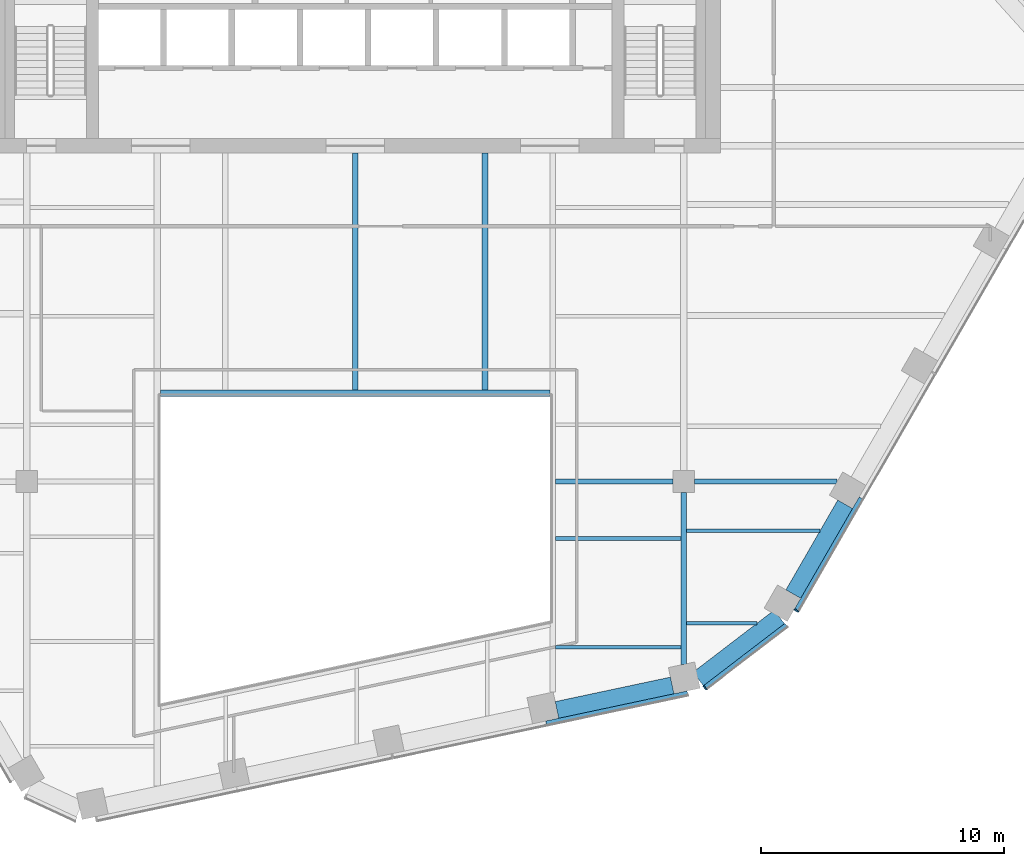
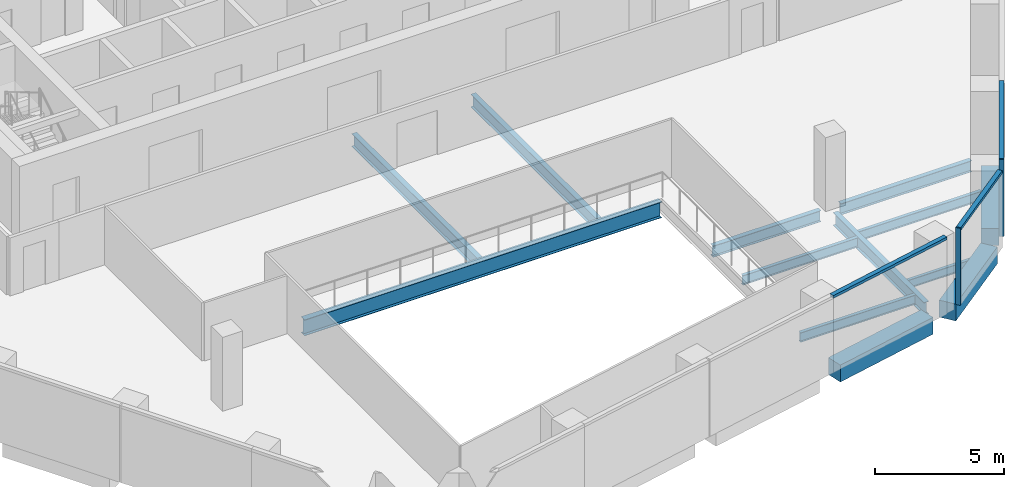
# One storey, part 4 of 15: 13 beams, 5 members, 3 elements without a shape of their own.
"""IFC4 building model written with IfcOpenShell, lengths in metres."""

import ifcopenshell
import ifcopenshell.guid

model = None  # the IFC model being written
_history = None  # IfcOwnerHistory: only IFC2X3 demands one
_inside = {}  # id of a spatial element -> (the spatial element, [elements in it])
_under = {}  # id of a project, library or spatial element -> (it, [spatial elements below it])
_declared = {}  # id of a project -> (the project, [libraries it declares])
_typed = {}  # id of a type object -> (the type object, [elements of that type])
_made_of = {}  # id of a material, layer set ... -> (it, [elements and type objects made of it])


def new_model(schema):
    """Start an empty IFC model of exactly this schema.

    Asked for "IFC4X3", IfcOpenShell would pick the latest addendum, in which some entities
    have other attributes; the version numbers below select the first issue.
    IFC2X3 requires an IfcOwnerHistory on every rooted entity: one is made here for all.
    """
    global model, _history
    if schema == "IFC4X3":
        model = ifcopenshell.file(schema_version=(4, 3, 0, 0))
    else:
        model = ifcopenshell.file(schema=schema)
    _inside.clear()
    _under.clear()
    _declared.clear()
    _typed.clear()
    _made_of.clear()
    _history = None
    if model.schema == "IFC2X3":
        org = make("IfcOrganization", Name="unknown")
        user = make(
            "IfcPersonAndOrganization",
            ThePerson=make("IfcPerson", FamilyName="unknown"),
            TheOrganization=org,
        )
        app = make(
            "IfcApplication",
            ApplicationDeveloper=org,
            Version="unknown",
            ApplicationFullName="unknown",
            ApplicationIdentifier="unknown",
        )
        _history = make(
            "IfcOwnerHistory",
            OwningUser=user,
            OwningApplication=app,
            ChangeAction="ADDED",
            CreationDate=0,
        )
    return model


def make(cls, **values):
    """One entity of the class cls with the attributes given. An attribute that is None is left unset."""
    return model.create_entity(
        cls, **{name: value for name, value in values.items() if value is not None}
    )


def rooted(cls, **values):
    """An entity with a GlobalId (a new one), such as an element, a storey or a relation."""
    return make(cls, GlobalId=ifcopenshell.guid.new(), OwnerHistory=_history, **values)


def si_unit(unit_type, name, prefix=None):
    """IfcSIUnit, for example si_unit("LENGTHUNIT", "METRE", prefix="MILLI")."""
    return make("IfcSIUnit", UnitType=unit_type, Prefix=prefix, Name=name)


def assignment(units):
    """IfcUnitAssignment: the units of a project."""
    return None if units is None else make("IfcUnitAssignment", Units=units)


def point(xyz):
    """IfcCartesianPoint."""
    return None if xyz is None else make("IfcCartesianPoint", Coordinates=xyz)


def direction(xyz):
    """IfcDirection."""
    return None if xyz is None else make("IfcDirection", DirectionRatios=xyz)


def frame(location, z_axis=None, x_axis=None):
    """IfcAxis2Placement3D, a coordinate frame: its origin and axes. An axis left out is left unset."""
    return make(
        "IfcAxis2Placement3D",
        Location=point(location),
        Axis=direction(z_axis),
        RefDirection=direction(x_axis),
    )


def frame_2d(location, x_axis=None):
    """IfcAxis2Placement2D, a coordinate frame in the plane: its origin and x axis."""
    return make(
        "IfcAxis2Placement2D", Location=point(location), RefDirection=direction(x_axis)
    )


def origin():
    """The frame at (0, 0, 0) with its axes left unset."""
    return frame((0.0, 0.0, 0.0))


def origin_2d():
    """The frame at (0, 0) in the plane with its x axis left unset."""
    return frame_2d((0.0, 0.0))


def place(relative_to, where):
    """IfcLocalPlacement: puts the frame where relative to a parent placement (None: the world)."""
    return make(
        "IfcLocalPlacement", PlacementRelTo=relative_to, RelativePlacement=where
    )


def context(
    kind, dimensions, precision=None, world=None, true_north=None, identifier=None
):
    """IfcGeometricRepresentationContext, for example the 3D "Model" context."""
    return make(
        "IfcGeometricRepresentationContext",
        ContextIdentifier=identifier,
        ContextType=kind,
        CoordinateSpaceDimension=dimensions,
        Precision=precision,
        WorldCoordinateSystem=world,
        TrueNorth=true_north,
    )


def subcontext(parent, identifier, kind, view, scale=None):
    """IfcGeometricRepresentationSubContext, for example "Body" below "Model"."""
    return make(
        "IfcGeometricRepresentationSubContext",
        ContextIdentifier=identifier,
        ContextType=kind,
        ParentContext=parent,
        TargetScale=scale,
        TargetView=view,
    )


def project(units=None, contexts=None):
    """IfcProject with its units and contexts."""
    return rooted(
        "IfcProject",
        Name="project",
        RepresentationContexts=contexts,
        UnitsInContext=assignment(units),
    )


def spatial(cls, under=None, at=None, **own):
    """A site, building, storey or space (cls), placed at a placement, below another one or the project."""
    s = rooted(cls, ObjectPlacement=at, **own)
    if under is not None:
        _under.setdefault(under.id(), (under, []))[1].append(s)
    return s


def profile(cls, at=None, kind="AREA", **sizes):
    """A parametric profile (cls). Its sizes go by their IFC names, for example OverallWidth=200.0."""
    return make(cls, ProfileType=kind, Position=at, **sizes)


def rectangle(**sizes):
    """IfcRectangleProfileDef."""
    return profile("IfcRectangleProfileDef", **sizes)


def i_section(**sizes):
    """IfcIShapeProfileDef."""
    return profile("IfcIShapeProfileDef", **sizes)


def extrude(swept, where, along, depth):
    """IfcExtrudedAreaSolid: the profile swept, set in the frame where, extruded along a direction by depth."""
    return make(
        "IfcExtrudedAreaSolid",
        SweptArea=swept,
        Position=where,
        ExtrudedDirection=direction(along),
        Depth=depth,
    )


def shape(context_of_items, identifier, shape_type, items):
    """IfcShapeRepresentation: the items that make up one representation, for example the "Body"."""
    return make(
        "IfcShapeRepresentation",
        ContextOfItems=context_of_items,
        RepresentationIdentifier=identifier,
        RepresentationType=shape_type,
        Items=items,
    )


def material(Name=None, Category=None):
    """IfcMaterial."""
    return make("IfcMaterial", Name=Name, Category=Category)


def layer(
    of_material, thickness, ventilated=None, Name=None, Category=None, Priority=None
):
    """IfcMaterialLayer: one layer of a wall or slab, of a material (None: an air gap)."""
    return make(
        "IfcMaterialLayer",
        Material=of_material,
        LayerThickness=thickness,
        IsVentilated=ventilated,
        Name=Name,
        Category=Category,
        Priority=Priority,
    )


def layer_set(layers, Name=None):
    """IfcMaterialLayerSet."""
    return make("IfcMaterialLayerSet", MaterialLayers=layers, LayerSetName=Name)


def material_profile(
    of_material, cross_section, Name=None, Category=None, Priority=None
):
    """IfcMaterialProfile: a cross section and its material."""
    return make(
        "IfcMaterialProfile",
        Name=Name,
        Material=of_material,
        Profile=cross_section,
        Priority=Priority,
        Category=Category,
    )


def profile_set(profiles, Name=None, composite=None):
    """IfcMaterialProfileSet."""
    return make(
        "IfcMaterialProfileSet",
        Name=Name,
        MaterialProfiles=profiles,
        CompositeProfile=composite,
    )


def made_of(thing, what):
    """Note that an element or type object is made of a material, layer set ...; save() writes the relation."""
    if what is not None:
        _made_of.setdefault(what.id(), (what, []))[1].append(thing)
    return thing


def type_object(cls, material=None, **own):
    """A type object (cls), such as IfcWallType, which elements share."""
    return made_of(rooted(cls, **own), material)


def element(
    cls,
    number,
    at=None,
    inside=None,
    cuts=None,
    type_object=None,
    material=None,
    context=None,
    identifier="Body",
    shape_type=None,
    held_by="IfcProductDefinitionShape",
    body=None,
    shapes=None,
    **own,
):
    """One element of the class cls, such as IfcWall. Its Tag is "e" and its number.

    at: its placement. inside: the storey or other place that contains it. cuts: it is an
    opening in that element (IfcRelVoidsElement). A single representation is given by context,
    identifier, shape_type and body (its items); several are given by shapes. held_by: the class
    of the entity that holds the representations. save() writes the other relations.
    """
    e = rooted(cls, Tag="e%d" % number, ObjectPlacement=at, **own)
    if body is not None:
        shapes = [shape(context, identifier, shape_type, body)]
    if shapes is not None:
        e.Representation = make(held_by, Representations=shapes)
    if inside is not None:
        _inside.setdefault(inside.id(), (inside, []))[1].append(e)
    if cuts is not None:
        rooted(
            "IfcRelVoidsElement", RelatingBuildingElement=cuts, RelatedOpeningElement=e
        )
    if type_object is not None:
        _typed.setdefault(type_object.id(), (type_object, []))[1].append(e)
    return made_of(e, material)


def aggregate(whole, parts):
    """IfcRelAggregates: a whole, such as a stair, and the parts it consists of."""
    return rooted("IfcRelAggregates", RelatingObject=whole, RelatedObjects=parts)


def save(model, path):
    """Write the relations noted so far, then the file.

    IfcRelAggregates (storeys below a building ...), IfcRelContainedInSpatialStructure (elements
    in a storey), IfcRelDefinesByType, IfcRelAssociatesMaterial and IfcRelDeclares: one each for
    every whole, place, type object, material and project.
    """
    for whole, parts in _under.values():
        aggregate(whole, parts)
    for where, things in _inside.values():
        rooted(
            "IfcRelContainedInSpatialStructure",
            RelatedElements=things,
            RelatingStructure=where,
        )
    for kind, things in _typed.values():
        rooted("IfcRelDefinesByType", RelatedObjects=things, RelatingType=kind)
    for what, things in _made_of.values():
        rooted("IfcRelAssociatesMaterial", RelatedObjects=things, RelatingMaterial=what)
    for by, libraries in _declared.values():
        rooted("IfcRelDeclares", RelatingContext=by, RelatedDefinitions=libraries)
    model.write(path)


model = new_model("IFC4")

# Units and contexts
model_context = context("Model", 3, precision=1e-05, world=origin(), true_north=direction((0.0, 1.0)))
body_context = subcontext(model_context, "Body", "Model", "MODEL_VIEW")
ifc_project = project(units=[si_unit("LENGTHUNIT", "METRE"), si_unit("AREAUNIT", "SQUARE_METRE"), si_unit("VOLUMEUNIT", "CUBIC_METRE"), si_unit("PLANEANGLEUNIT", "RADIAN"), si_unit("MASSUNIT", "GRAM", prefix="KILO")], contexts=[model_context])

# Site, building, storey
site_placement = place(None, origin())
site = spatial("IfcSite", under=ifc_project, at=site_placement, CompositionType="ELEMENT")
building_placement = place(site_placement, origin())
building = spatial("IfcBuilding", under=site, at=building_placement, Name="Isthmus Gate Tower", CompositionType="ELEMENT")
storey_placement = place(building_placement, frame((0.0, 0.0, 230.89990234375)))
storey = spatial("IfcBuildingStorey", under=building, at=storey_placement, Name="L58", CompositionType="ELEMENT", Elevation=230.89990234375)

# Curtain wall, member
ifc_material_1 = material(Name="Aluminium, pale champagne anodised", Category="aluminium")
ifc_layer = layer(ifc_material_1, 0.199951171875)
ifc_layer_set = layer_set([ifc_layer], Name="CW-1 UNITISED CURTAIN WALL 200 DEEP")
curtain_wall_type = type_object("IfcCurtainWallType", Name="CW-1 UNITISED CURTAIN WALL 200 DEEP", PredefinedType="NOTDEFINED", material=ifc_layer_set)
curtain_wall_1_placement = place(storey_placement, origin())
curtain_wall_1 = element("IfcCurtainWall", 1, at=curtain_wall_1_placement, inside=storey, type_object=curtain_wall_type, Name="CW-1 S-SE L58", PredefinedType="NOTDEFINED")
ifc_material_2 = material(Name="Aluminium, pale champagne anodised", Category="aluminium")
ifc_material_profile_1 = material_profile(ifc_material_2, rectangle(XDim=0.06005859375, YDim=0.199951171875, at=origin_2d()), Name="60x200")
ifc_profile_set_1 = profile_set([ifc_material_profile_1], Name="Aluminium, pale champagne anodised")
member_type_1 = type_object("IfcMemberType", Name="CW-1 MULLION 60 X 200", PredefinedType="MULLION", material=ifc_profile_set_1)
member_1_placement = place(storey_placement, frame((14.3720703125, -21.961669921875, 0.0), z_axis=(0.0, 0.0, 1.0), x_axis=(0.794188594387, 0.607671355706, 0.0)))
member_1 = element("IfcMember", 2, at=member_1_placement, type_object=member_type_1, Name="CW-1 mullion", PredefinedType="MULLION", context=body_context, shape_type="SweptSolid", body=[
    extrude(rectangle(XDim=0.06005859375, YDim=0.199951171875, at=origin_2d()), origin(), (0.0, 0.0, 1.0), 3.650146484375),
])

curtain_wall_2_placement = place(storey_placement, origin())
curtain_wall_2 = element("IfcCurtainWall", 3, at=curtain_wall_2_placement, inside=storey, type_object=curtain_wall_type, Name="CW-1 SE L58", PredefinedType="NOTDEFINED")
member_2_placement = place(storey_placement, frame((18.131591796875, -18.794921875, 0.0), z_axis=(0.0, 0.0, 1.0), x_axis=(0.5, 0.866025403784, 0.0)))
member_2 = element("IfcMember", 4, at=member_2_placement, type_object=member_type_1, Name="CW-1 mullion", PredefinedType="MULLION", context=body_context, shape_type="SweptSolid", body=[
    extrude(rectangle(XDim=0.06005859375, YDim=0.199951171875, at=origin_2d()), origin(), (0.0, 0.0, 1.0), 3.650146484375),
])

curtain_wall_3_placement = place(storey_placement, origin())
curtain_wall_3 = element("IfcCurtainWall", 5, at=curtain_wall_3_placement, inside=storey, type_object=curtain_wall_type, Name="CW-1 S L58", PredefinedType="NOTDEFINED")
ifc_material_3 = material(Name="Aluminium, pale champagne anodised", Category="aluminium")
ifc_material_profile_2 = material_profile(ifc_material_3, rectangle(XDim=0.199951171875, YDim=0.1298828125, at=origin_2d()), Name="200x130")
ifc_profile_set_2 = profile_set([ifc_material_profile_2], Name="Aluminium, pale champagne anodised")
member_type_2 = type_object("IfcMemberType", Name="CW-1 TRANSOM 200 X 130", PredefinedType="USERDEFINED", material=ifc_profile_set_2)
member_3_placement = place(storey_placement, frame((7.844970703125, -23.434814453125, 3.585205078125), z_axis=(0.978148616043, 0.207906914105, 0.0), x_axis=(-0.207906914105, 0.978148616043, 0.0)))
member_3 = element("IfcMember", 6, at=member_3_placement, type_object=member_type_2, Name="CW-1 transom", ObjectType="TRANSOM", PredefinedType="USERDEFINED", context=body_context, shape_type="SweptSolid", body=[
    extrude(rectangle(XDim=0.199951171875, YDim=0.1298828125, at=origin_2d()), origin(), (0.0, 0.0, 1.0), 5.94189453125),
])
aggregate(curtain_wall_3, [member_3])

# Member
member_4_placement = place(storey_placement, frame((14.39599609375, -21.943603515625, 3.585205078125), z_axis=(0.794175498212, 0.607688471209, 0.0), x_axis=(-0.607688471209, 0.794175498212, 0.0)))
member_4 = element("IfcMember", 7, at=member_4_placement, type_object=member_type_2, Name="CW-1 transom", ObjectType="TRANSOM", PredefinedType="USERDEFINED", context=body_context, shape_type="SweptSolid", body=[
    extrude(rectangle(XDim=0.199951171875, YDim=0.1298828125, at=origin_2d()), origin(), (0.0, 0.0, 1.0), 4.181396484375),
])

aggregate(curtain_wall_1, [member_1, member_4])

member_5_placement = place(storey_placement, frame((18.146728515625, -18.76904296875, 3.585205078125), z_axis=(0.499968318869, 0.866043694121, 0.0), x_axis=(-0.866043694121, 0.499968318869, 0.0)))
member_5 = element("IfcMember", 8, at=member_5_placement, type_object=member_type_2, Name="CW-1 transom", ObjectType="TRANSOM", PredefinedType="USERDEFINED", context=body_context, shape_type="SweptSolid", body=[
    extrude(rectangle(XDim=0.199951171875, YDim=0.1298828125, at=origin_2d()), origin(), (0.0, 0.0, 1.0), 5.300537109375),
])

aggregate(curtain_wall_2, [member_2, member_5])

# Beams
ifc_material_4 = material(Name="Concrete f'c 50 MPa", Category="concrete")
ifc_material_profile_3 = material_profile(ifc_material_4, rectangle(XDim=0.699951171875, YDim=0.800048828125, at=origin_2d()), Name="RC 700X800")
ifc_profile_set_3 = profile_set([ifc_material_profile_3], Name="Concrete f'c 50 MPa")
beam_type_1 = type_object("IfcBeamType", Name="RC SPANDREL 700 X 800", PredefinedType="SPANDREL", material=ifc_profile_set_3)
beam_1_placement = place(storey_placement, frame((20.13232421875, -14.429931640625, -0.39990234375), z_axis=(-0.500021719575, -0.866012863619, 0.0), x_axis=(0.866012863619, -0.500021719575, 0.0)))
element("IfcBeam", 9, at=beam_1_placement, inside=storey, type_object=beam_type_1, Name="str-spandrel-L58-09", PredefinedType="SPANDREL", context=body_context, shape_type="SweptSolid", body=[
    extrude(rectangle(XDim=0.699951171875, YDim=0.800048828125, at=origin_2d()), origin(), (0.0, 0.0, 1.0), 4.260498046875),
])
beam_2_placement = place(storey_placement, frame((17.4267578125, -19.057861328125, -0.39990234375), z_axis=(-0.794182771845, -0.60767896533, 0.0), x_axis=(0.60767896533, -0.794182771845, 0.0)))
element("IfcBeam", 10, at=beam_2_placement, inside=storey, type_object=beam_type_1, Name="str-spandrel-L58-10", PredefinedType="SPANDREL", context=body_context, shape_type="SweptSolid", body=[
    extrude(rectangle(XDim=0.699951171875, YDim=0.800048828125, at=origin_2d()), origin(), (0.0, 0.0, 1.0), 4.19677734375),
])
beam_3_placement = place(storey_placement, frame((13.025390625, -21.87353515625, -0.39990234375), z_axis=(-0.978151545833, -0.207893129722, 0.0), x_axis=(0.207893129722, -0.978151545833, 0.0)))
element("IfcBeam", 11, at=beam_3_placement, inside=storey, type_object=beam_type_1, Name="str-spandrel-L58-11", PredefinedType="SPANDREL", context=body_context, shape_type="SweptSolid", body=[
    extrude(rectangle(XDim=0.699951171875, YDim=0.800048828125, at=origin_2d()), origin(), (0.0, 0.0, 1.0), 4.841796875),
])
ifc_material_5 = material(Name="Structural steel ASTM A992 Gr 50", Category="steel")
ifc_material_profile_4 = material_profile(ifc_material_5, i_section(OverallWidth=0.1396484375, OverallDepth=0.4033203125, WebThickness=0.00634765625, FlangeThickness=0.010986328125, at=origin_2d()), Name="W16X31")
ifc_profile_set_4 = profile_set([ifc_material_profile_4], Name="Structural steel ASTM A992 Gr 50")
beam_type_2 = type_object("IfcBeamType", Name="STEEL FLOOR BEAM W16X31", PredefinedType="JOIST", material=ifc_profile_set_4)
beam_4_placement = place(storey_placement, frame((13.6142578125, -19.322998046875, -0.3515625), z_axis=(1.0, 0.0, 0.0), x_axis=(0.0, 1.0, 0.0)))
element("IfcBeam", 12, at=beam_4_placement, inside=storey, type_object=beam_type_2, Name="str-beam-L58-11-00", PredefinedType="JOIST", context=body_context, shape_type="SweptSolid", body=[
    extrude(i_section(OverallWidth=0.1396484375, OverallDepth=0.4033203125, WebThickness=0.00634765625, FlangeThickness=0.010986328125, at=origin_2d()), origin(), (0.0, 0.0, 1.0), 2.889892578125),
])
ifc_material_6 = material(Name="Structural steel ASTM A992 Gr 50", Category="steel")
ifc_material_profile_5 = material_profile(ifc_material_6, i_section(OverallWidth=0.15234375, OverallDepth=0.45068359375, WebThickness=0.0078125, FlangeThickness=0.010986328125, at=origin_2d()), Name="W18X35")
ifc_profile_set_5 = profile_set([ifc_material_profile_5], Name="Structural steel ASTM A992 Gr 50")
beam_type_3 = type_object("IfcBeamType", Name="STEEL FLOOR BEAM W18X35", PredefinedType="JOIST", material=ifc_profile_set_5)
for number, where, z_axis, x_axis, name in (
    (13, (8.228515625, -20.3046875, -0.375244140625), (1.0, 0.0, 0.0), (0.0, 1.0, 0.0), "str-beam-L58-09-00"),
    (14, (8.228515625, -15.838134765625, -0.375244140625), (1.0, 0.0, 0.0), (0.0, 1.0, 0.0), "str-beam-L58-09-01"),
):
    element("IfcBeam", number, at=place(storey_placement, frame(where, z_axis=z_axis, x_axis=x_axis)), inside=storey, type_object=beam_type_3, Name=name, PredefinedType="JOIST", context=body_context, shape_type="SweptSolid", body=[
        extrude(i_section(OverallWidth=0.15234375, OverallDepth=0.45068359375, WebThickness=0.0078125, FlangeThickness=0.010986328125, at=origin_2d()), origin(), (0.0, 0.0, 1.0), 5.1572265625),
    ])
beam_5_placement = place(storey_placement, frame((13.6142578125, -15.5107421875, -0.375244140625), z_axis=(1.0, 0.0, 0.0), x_axis=(0.0, 1.0, 0.0)))
element("IfcBeam", 15, at=beam_5_placement, inside=storey, type_object=beam_type_3, Name="str-beam-L58-11-01", PredefinedType="JOIST", context=body_context, shape_type="SweptSolid", body=[
    extrude(i_section(OverallWidth=0.15234375, OverallDepth=0.45068359375, WebThickness=0.0078125, FlangeThickness=0.010986328125, at=origin_2d()), origin(), (0.0, 0.0, 1.0), 5.48974609375),
])
ifc_material_7 = material(Name="Structural steel ASTM A992 Gr 50", Category="steel")
ifc_material_profile_6 = material_profile(ifc_material_7, i_section(OverallWidth=0.228515625, OverallDepth=0.603271484375, WebThickness=0.010986328125, FlangeThickness=0.014404296875, at=origin_2d()), Name="W24X68")
ifc_profile_set_6 = profile_set([ifc_material_profile_6], Name="Structural steel ASTM A992 Gr 50")
beam_type_4 = type_object("IfcBeamType", Name="STEEL FLOOR BEAM W24X68", PredefinedType="JOIST", material=ifc_profile_set_6)
for number, where, z_axis, x_axis, name in (
    (16, (0.0, -9.7333984375, -0.451416015625), (0.0, 1.0, 0.0), (-1.0, 0.0, 0.0), "str-beam-L58-07-01"),
    (17, (5.333251953125, -9.7333984375, -0.451416015625), (0.0, 1.0, 0.0), (-1.0, 0.0, 0.0), "str-beam-L58-07-02"),
):
    element("IfcBeam", number, at=place(storey_placement, frame(where, z_axis=z_axis, x_axis=x_axis)), inside=storey, type_object=beam_type_4, Name=name, PredefinedType="JOIST", context=body_context, shape_type="SweptSolid", body=[
        extrude(i_section(OverallWidth=0.228515625, OverallDepth=0.603271484375, WebThickness=0.010986328125, FlangeThickness=0.014404296875, at=origin_2d()), origin(), (0.0, 0.0, 1.0), 9.7333984375),
    ])
ifc_material_8 = material(Name="Structural steel ASTM A992 Gr 50", Category="steel")
ifc_material_profile_7 = material_profile(ifc_material_8, i_section(OverallWidth=0.20947265625, OverallDepth=0.533447265625, WebThickness=0.009521484375, FlangeThickness=0.015869140625, at=origin_2d()), Name="W21X62")
ifc_profile_set_7 = profile_set([ifc_material_profile_7], Name="Structural steel ASTM A992 Gr 50")
beam_type_5 = type_object("IfcBeamType", Name="STEEL GIRDER W21X62", PredefinedType="BEAM", material=ifc_profile_set_7)
beam_6_placement = place(storey_placement, frame((8.228515625, -13.5, -0.41650390625), z_axis=(1.0, 0.0, 0.0), x_axis=(0.0, 1.0, 0.0)))
element("IfcBeam", 18, at=beam_6_placement, inside=storey, type_object=beam_type_5, Name="str-girder-L58-03", PredefinedType="BEAM", context=body_context, shape_type="SweptSolid", body=[
    extrude(i_section(OverallWidth=0.20947265625, OverallDepth=0.533447265625, WebThickness=0.009521484375, FlangeThickness=0.015869140625, at=origin_2d()), origin(), (0.0, 0.0, 1.0), 4.821533203125),
])
beam_7_placement = place(storey_placement, frame((13.949951171875, -13.5, -0.41650390625), z_axis=(1.0, 0.0, 0.0), x_axis=(0.0, 1.0, 0.0)))
element("IfcBeam", 19, at=beam_7_placement, inside=storey, type_object=beam_type_5, Name="str-girder-L58-04", PredefinedType="BEAM", context=body_context, shape_type="SweptSolid", body=[
    extrude(i_section(OverallWidth=0.20947265625, OverallDepth=0.533447265625, WebThickness=0.009521484375, FlangeThickness=0.015869140625, at=origin_2d()), origin(), (0.0, 0.0, 1.0), 5.853271484375),
])
ifc_material_9 = material(Name="Structural steel ASTM A992 Gr 50", Category="steel")
ifc_material_profile_8 = material_profile(ifc_material_9, i_section(OverallWidth=0.228515625, OverallDepth=0.603271484375, WebThickness=0.010986328125, FlangeThickness=0.014404296875, at=origin_2d()), Name="W24X68")
ifc_profile_set_8 = profile_set([ifc_material_profile_8], Name="Structural steel ASTM A992 Gr 50")
beam_type_6 = type_object("IfcBeamType", Name="STEEL GIRDER W24X68", PredefinedType="BEAM", material=ifc_profile_set_8)
beam_8_placement = place(storey_placement, frame((13.5, -21.005859375, -0.451416015625), z_axis=(0.0, 1.0, 0.0), x_axis=(-1.0, 0.0, 0.0)))
element("IfcBeam", 20, at=beam_8_placement, inside=storey, type_object=beam_type_6, Name="str-girder-L58-07", PredefinedType="BEAM", context=body_context, shape_type="SweptSolid", body=[
    extrude(i_section(OverallWidth=0.228515625, OverallDepth=0.603271484375, WebThickness=0.010986328125, FlangeThickness=0.014404296875, at=origin_2d()), origin(), (0.0, 0.0, 1.0), 7.055908203125),
])
ifc_material_10 = material(Name="Structural steel ASTM A992 Gr 50", Category="steel")
ifc_material_profile_9 = material_profile(ifc_material_10, i_section(OverallWidth=0.2666015625, OverallDepth=0.7587890625, WebThickness=0.014404296875, FlangeThickness=0.01904296875, at=origin_2d()), Name="W30X108")
ifc_profile_set_9 = profile_set([ifc_material_profile_9], Name="Structural steel ASTM A992 Gr 50")
beam_type_7 = type_object("IfcBeamType", Name="STEEL TRIMMER W30X108", PredefinedType="BEAM", material=ifc_profile_set_9)
beam_9_placement = place(storey_placement, frame((8.0, -9.86669921875, -0.529296875), z_axis=(-1.0, 0.0, 0.0), x_axis=(0.0, -1.0, 0.0)))
element("IfcBeam", 21, at=beam_9_placement, inside=storey, type_object=beam_type_7, Name="str-trimmer-L58-04", PredefinedType="BEAM", context=body_context, shape_type="SweptSolid", body=[
    extrude(i_section(OverallWidth=0.2666015625, OverallDepth=0.7587890625, WebThickness=0.014404296875, FlangeThickness=0.01904296875, at=origin_2d()), origin(), (0.0, 0.0, 1.0), 16.0),
])

save(model, "model.ifc")
